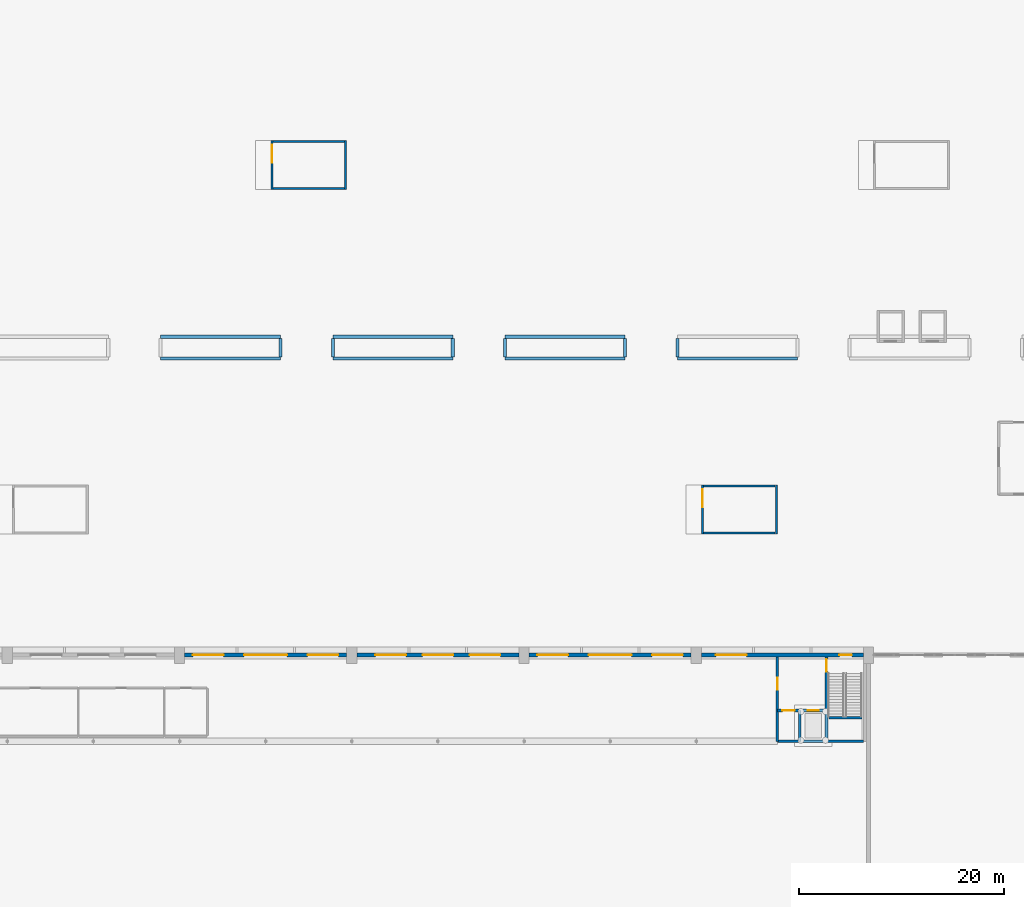
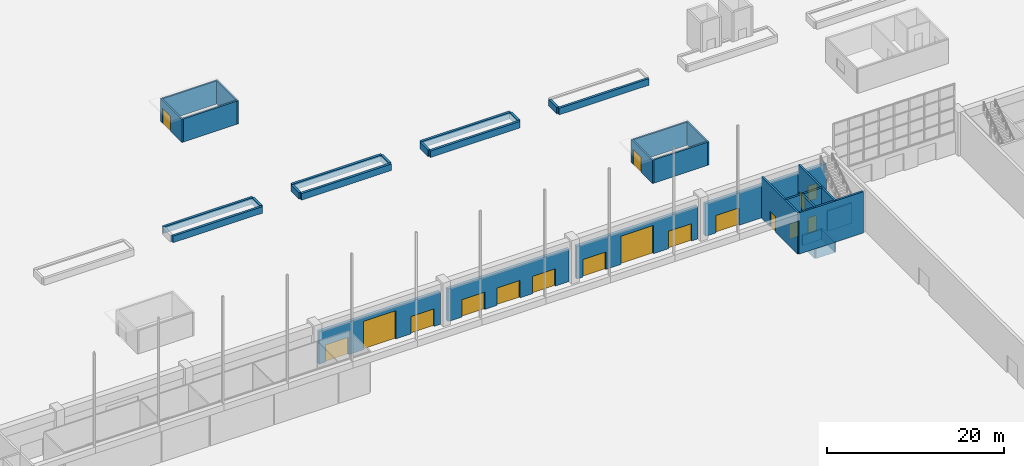
# One storey, part 116 of 210: 35 walls, 17 doors, 17 openings.
"""IFC4 building model written with IfcOpenShell, lengths in metres."""

from ifc_helpers import new_model, si_unit, direction, frame, frame_2d, origin, place, context, subcontext, project, spatial, rectangle, extrude, material, layer, layer_set, type_object, element, fill, save


model = new_model("IFC4")

# Units and contexts
model_context = context("Model", 3, precision=1e-05, world=origin(), true_north=direction((0.0, 1.0)))
body_context = subcontext(model_context, "Body", "Model", "MODEL_VIEW")
ifc_project = project(units=[si_unit("LENGTHUNIT", "METRE"), si_unit("AREAUNIT", "SQUARE_METRE"), si_unit("VOLUMEUNIT", "CUBIC_METRE"), si_unit("PLANEANGLEUNIT", "RADIAN"), si_unit("MASSUNIT", "GRAM", prefix="KILO")], contexts=[model_context])

# Site, building, storey
site_placement = place(None, origin())
site = spatial("IfcSite", under=ifc_project, at=site_placement, CompositionType="ELEMENT")
building_placement = place(site_placement, origin())
building = spatial("IfcBuilding", under=site, at=building_placement, Name="Rain Tree Exposition and Congress Centre", CompositionType="ELEMENT")
storey_placement = place(building_placement, origin())
storey = spatial("IfcBuildingStorey", under=building, at=storey_placement, Name="L00", CompositionType="ELEMENT", Elevation=0.0)

# Wall, opening, door
ifc_material_1 = material(Name="Concrete C40/50", Category="concrete")
ifc_layer_1 = layer(ifc_material_1, 0.25)
ifc_layer_set_1 = layer_set([ifc_layer_1], Name="Concrete C40/50")
wall_type_1 = type_object("IfcWallType", Name="Core wall 250", PredefinedType="SHEAR", material=ifc_layer_set_1)
wall_1_placement = place(storey_placement, frame((121.89990234375, 201.39990234375, 0.0), z_axis=(0.0, 0.0, 1.0), x_axis=(0.0, -1.0, 0.0)))
wall_1 = element("IfcWall", 1, at=wall_1_placement, inside=storey, type_object=wall_type_1, Name="Stair wall 4", PredefinedType="SHEAR", context=body_context, shape_type="SweptSolid", body=[
    extrude(rectangle(XDim=8.199951171875, YDim=0.25, at=frame_2d((4.10009765625, 0.0))), origin(), (0.0, 0.0, 1.0), 5.699951171875),
])
opening_1_placement = place(wall_1_placement, frame((0.199951171875, 0.0, 0.0)))
opening_1 = element("IfcOpeningElement", 2, at=opening_1_placement, cuts=wall_1, Name="Opening DH205", PredefinedType="OPENING", context=body_context, shape_type="SweptSolid", body=[
    extrude(rectangle(XDim=1.199951171875, YDim=2.10009765625, at=frame_2d((0.60009765625, 1.050048828125))), frame((0.0, 0.125, 0.0), z_axis=(0.0, -1.0, 0.0), x_axis=(1.0, 0.0, 0.0)), (0.0, 0.0, 1.0), 0.25),
])
ifc_material_2 = material(Name="Painted steel fire door", Category="steel")
door_type_1 = type_object("IfcDoorType", Name="Stair fire door 1200x2100", OperationType="NOTDEFINED", PredefinedType="DOOR", material=ifc_material_2)
door_1_placement = place(opening_1_placement, origin())
door_1 = element("IfcDoor", 3, at=door_1_placement, inside=storey, type_object=door_type_1, Name="Door DH205", OperationType="SINGLE_SWING_LEFT", OverallHeight=2.10009765625, OverallWidth=1.199951171875, PredefinedType="DOOR", context=body_context, shape_type="SweptSolid", body=[
    extrude(rectangle(XDim=1.199951171875, YDim=2.10009765625, at=frame_2d((0.60009765625, 1.050048828125))), frame((0.0, 0.02490234375, 0.0), z_axis=(0.0, -1.0, 0.0), x_axis=(1.0, 0.0, 0.0)), (0.0, 0.0, 1.0), 0.050048828125),
])
fill(opening_1, door_1)

# Wall
wall_2_placement = place(storey_placement, frame((125.5, 193.199951171875, 0.0), z_axis=(0.0, 0.0, 1.0), x_axis=(-1.0, 0.0, 0.0)))
element("IfcWall", 4, at=wall_2_placement, inside=storey, type_object=wall_type_1, Name="Core north wall 4", PredefinedType="SHEAR", context=body_context, shape_type="SweptSolid", body=[
    extrude(rectangle(XDim=8.39990234375, YDim=0.25, at=frame_2d((4.199951171875, 0.0))), origin(), (0.0, 0.0, 1.0), 5.699951171875),
])

# Wall, opening, door
wall_3_placement = place(storey_placement, frame((117.10009765625, 201.39990234375, 0.0), z_axis=(0.0, 0.0, 1.0), x_axis=(0.0, -1.0, 0.0)))
wall_3 = element("IfcWall", 5, at=wall_3_placement, inside=storey, type_object=wall_type_1, Name="Core east wall 4", PredefinedType="SHEAR", context=body_context, shape_type="SweptSolid", body=[
    extrude(rectangle(XDim=8.199951171875, YDim=0.25, at=frame_2d((4.10009765625, 0.0))), origin(), (0.0, 0.0, 1.0), 5.699951171875),
])
opening_2_placement = place(wall_3_placement, frame((2.0, 0.0, 0.0)))
opening_2 = element("IfcOpeningElement", 6, at=opening_2_placement, cuts=wall_3, Name="Opening DH206", PredefinedType="OPENING", context=body_context, shape_type="SweptSolid", body=[
    extrude(rectangle(XDim=1.199951171875, YDim=2.10009765625, at=frame_2d((0.60009765625, 1.050048828125))), frame((0.0, 0.125, 0.0), z_axis=(0.0, -1.0, 0.0), x_axis=(1.0, 0.0, 0.0)), (0.0, 0.0, 1.0), 0.25),
])
ifc_material_3 = material(Name="Painted steel fire door", Category="steel")
door_type_2 = type_object("IfcDoorType", Name="Lobby fire door 1200x2100", OperationType="NOTDEFINED", PredefinedType="DOOR", material=ifc_material_3)
door_2_placement = place(opening_2_placement, origin())
door_2 = element("IfcDoor", 7, at=door_2_placement, inside=storey, type_object=door_type_2, Name="Door DH206", OperationType="SINGLE_SWING_LEFT", OverallHeight=2.10009765625, OverallWidth=1.199951171875, PredefinedType="DOOR", context=body_context, shape_type="SweptSolid", body=[
    extrude(rectangle(XDim=1.199951171875, YDim=2.10009765625, at=frame_2d((0.60009765625, 1.050048828125))), frame((0.0, 0.02490234375, 0.0), z_axis=(0.0, -1.0, 0.0), x_axis=(1.0, 0.0, 0.0)), (0.0, 0.0, 1.0), 0.050048828125),
])
fill(opening_2, door_2)

# Wall, openings, doors
wall_4_placement = place(storey_placement, frame((121.89990234375, 196.199951171875, 0.0), z_axis=(0.0, 0.0, 1.0), x_axis=(-1.0, 0.0, 0.0)))
wall_4 = element("IfcWall", 8, at=wall_4_placement, inside=storey, type_object=wall_type_1, Name="Lift lobby wall 4", PredefinedType="SHEAR", context=body_context, shape_type="SweptSolid", body=[
    extrude(rectangle(XDim=4.7998046875, YDim=0.25, at=frame_2d((2.39990234375, 0.0))), origin(), (0.0, 0.0, 1.0), 5.699951171875),
])
opening_3_placement = place(wall_4_placement, frame((0.75, 0.0, 0.0)))
opening_3 = element("IfcOpeningElement", 9, at=opening_3_placement, cuts=wall_4, Name="Opening DH207", PredefinedType="OPENING", context=body_context, shape_type="SweptSolid", body=[
    extrude(rectangle(XDim=1.10009765625, YDim=2.10009765625, at=frame_2d((0.550048828125, 1.050048828125))), frame((0.0, 0.125, 0.0), z_axis=(0.0, -1.0, 0.0), x_axis=(1.0, 0.0, 0.0)), (0.0, 0.0, 1.0), 0.25),
])
opening_4_placement = place(wall_4_placement, frame((3.10009765625, 0.0, 0.0)))
opening_4 = element("IfcOpeningElement", 10, at=opening_4_placement, cuts=wall_4, Name="Opening DH208", PredefinedType="OPENING", context=body_context, shape_type="SweptSolid", body=[
    extrude(rectangle(XDim=1.199951171875, YDim=2.10009765625, at=frame_2d((0.60009765625, 1.050048828125))), frame((0.0, 0.125, 0.0), z_axis=(0.0, -1.0, 0.0), x_axis=(1.0, 0.0, 0.0)), (0.0, 0.0, 1.0), 0.25),
])
ifc_material_4 = material(Name="Stainless steel", Category="steel")
door_type_3 = type_object("IfcDoorType", Name="Lift landing door 1100x2100", OperationType="DOUBLE_DOOR_SLIDING", PredefinedType="DOOR", material=ifc_material_4)
door_3_placement = place(opening_3_placement, origin())
door_3 = element("IfcDoor", 11, at=door_3_placement, inside=storey, type_object=door_type_3, Name="Door DH207", OperationType="DOUBLE_DOOR_SLIDING", OverallHeight=2.10009765625, OverallWidth=1.10009765625, PredefinedType="DOOR", context=body_context, shape_type="SweptSolid", body=[
    extrude(rectangle(XDim=1.10009765625, YDim=2.10009765625, at=frame_2d((0.550048828125, 1.050048828125))), frame((0.0, 0.02490234375, 0.0), z_axis=(0.0, -1.0, 0.0), x_axis=(1.0, 0.0, 0.0)), (0.0, 0.0, 1.0), 0.050048828125),
])
fill(opening_3, door_3)
ifc_material_5 = material(Name="Painted steel fire door", Category="steel")
door_type_4 = type_object("IfcDoorType", Name="Plant room fire door 1200x2100", OperationType="NOTDEFINED", PredefinedType="DOOR", material=ifc_material_5)
door_4_placement = place(opening_4_placement, origin())
door_4 = element("IfcDoor", 12, at=door_4_placement, inside=storey, type_object=door_type_4, Name="Door DH208", OperationType="SINGLE_SWING_RIGHT", OverallHeight=2.10009765625, OverallWidth=1.199951171875, PredefinedType="DOOR", context=body_context, shape_type="SweptSolid", body=[
    extrude(rectangle(XDim=1.199951171875, YDim=2.10009765625, at=frame_2d((0.60009765625, 1.050048828125))), frame((0.0, 0.02490234375, 0.0), z_axis=(0.0, -1.0, 0.0), x_axis=(1.0, 0.0, 0.0)), (0.0, 0.0, 1.0), 0.050048828125),
])
fill(opening_4, door_4)

# Walls
wall_5_placement = place(storey_placement, frame((119.300048828125, 196.199951171875, 0.0), z_axis=(0.0, 0.0, 1.0), x_axis=(0.0, -1.0, 0.0)))
element("IfcWall", 13, at=wall_5_placement, inside=storey, type_object=wall_type_1, Name="Lift shaft wall 4", PredefinedType="SHEAR", context=body_context, shape_type="SweptSolid", body=[
    extrude(rectangle(XDim=3.0, YDim=0.25, at=frame_2d((1.5, 0.0))), origin(), (0.0, 0.0, 1.0), 5.699951171875),
])
wall_6_placement = place(storey_placement, frame((125.35009765625, 195.5, 0.0), z_axis=(0.0, 0.0, 1.0), x_axis=(-1.0, 0.0, 0.0)))
element("IfcWall", 14, at=wall_6_placement, inside=storey, type_object=wall_type_1, Name="Stair landing wall 4", PredefinedType="SHEAR", context=body_context, shape_type="SweptSolid", body=[
    extrude(rectangle(XDim=3.2001953125, YDim=0.25, at=frame_2d((1.60009765625, 0.0))), origin(), (0.0, 0.0, 1.0), 2.800048828125),
])

# Wall, opening, door
ifc_material_6 = material(Name="Concrete C40/50", Category="concrete")
ifc_layer_2 = layer(ifc_material_6, 0.199951171875)
ifc_layer_set_2 = layer_set([ifc_layer_2], Name="Concrete C40/50")
wall_type_2 = type_object("IfcWallType", Name="Exit stair wall 200", PredefinedType="PARTITIONING", material=ifc_layer_set_2)
wall_7_placement = place(storey_placement, frame((109.800048828125, 213.39990234375, 0.0), z_axis=(0.0, 0.0, 1.0), x_axis=(0.0, 1.0, 0.0)))
wall_7 = element("IfcWall", 15, at=wall_7_placement, inside=storey, type_object=wall_type_2, Name="Exit stair N02 wall west", PredefinedType="SOLIDWALL", context=body_context, shape_type="SweptSolid", body=[
    extrude(rectangle(XDim=4.800048828125, YDim=0.199951171875, at=frame_2d((2.39990234375, 0.0))), origin(), (0.0, 0.0, 1.0), 3.199951171875),
])
opening_5_placement = place(wall_7_placement, frame((2.60009765625, 0.0, 0.0)))
opening_5 = element("IfcOpeningElement", 16, at=opening_5_placement, cuts=wall_7, Name="Opening DS142", PredefinedType="OPENING", context=body_context, shape_type="SweptSolid", body=[
    extrude(rectangle(XDim=1.800048828125, YDim=2.10009765625, at=frame_2d((0.89990234375, 1.050048828125))), frame((0.0, 0.10009765625, 0.0), z_axis=(0.0, -1.0, 0.0), x_axis=(1.0, 0.0, 0.0)), (0.0, 0.0, 1.0), 0.199951171875),
])
ifc_material_7 = material(Name="Powder-coated steel", Category="steel")
door_type_5 = type_object("IfcDoorType", Name="Exit stair deck door 1800x2100", OperationType="NOTDEFINED", PredefinedType="DOOR", material=ifc_material_7)
door_5_placement = place(opening_5_placement, origin())
door_5 = element("IfcDoor", 17, at=door_5_placement, inside=storey, type_object=door_type_5, Name="Exit stair N02 door L00", OperationType="SINGLE_SWING_LEFT", OverallHeight=2.10009765625, OverallWidth=1.800048828125, PredefinedType="DOOR", context=body_context, shape_type="SweptSolid", body=[
    extrude(rectangle(XDim=1.800048828125, YDim=2.10009765625, at=frame_2d((0.89990234375, 1.050048828125))), frame((0.0, 0.02490234375, 0.0), z_axis=(0.0, -1.0, 0.0), x_axis=(1.0, 0.0, 0.0)), (0.0, 0.0, 1.0), 0.050048828125),
])
fill(opening_5, door_5)

# Walls
wall_8_placement = place(storey_placement, frame((117.0, 213.39990234375, 0.0), z_axis=(0.0, 0.0, 1.0), x_axis=(0.0, 1.0, 0.0)))
element("IfcWall", 18, at=wall_8_placement, inside=storey, type_object=wall_type_2, Name="Exit stair N02 wall east", PredefinedType="SOLIDWALL", context=body_context, shape_type="SweptSolid", body=[
    extrude(rectangle(XDim=4.800048828125, YDim=0.199951171875, at=frame_2d((2.39990234375, 0.0))), origin(), (0.0, 0.0, 1.0), 3.199951171875),
])
for number, where, z_axis, x_axis, name in (
    (19, (109.89990234375, 213.5, 0.0), (0.0, 0.0, 1.0), (1.0, 0.0, 0.0), "Exit stair N02 wall south"),
    (20, (109.89990234375, 218.10009765625, 0.0), (0.0, 0.0, 1.0), (1.0, 0.0, 0.0), "Exit stair N02 wall north"),
):
    element("IfcWall", number, at=place(storey_placement, frame(where, z_axis=z_axis, x_axis=x_axis)), inside=storey, type_object=wall_type_2, Name=name, PredefinedType="SOLIDWALL", context=body_context, shape_type="SweptSolid", body=[
        extrude(rectangle(XDim=7.0, YDim=0.199951171875, at=frame_2d((3.5, 0.0))), origin(), (0.0, 0.0, 1.0), 3.199951171875),
    ])

# Wall, opening, door
wall_9_placement = place(storey_placement, frame((67.800048828125, 247.0, 0.0), z_axis=(0.0, 0.0, 1.0), x_axis=(0.0, 1.0, 0.0)))
wall_9 = element("IfcWall", 21, at=wall_9_placement, inside=storey, type_object=wall_type_2, Name="Exit stair N05 wall west", PredefinedType="SOLIDWALL", context=body_context, shape_type="SweptSolid", body=[
    extrude(rectangle(XDim=4.800048828125, YDim=0.199951171875, at=frame_2d((2.39990234375, 0.0))), origin(), (0.0, 0.0, 1.0), 3.199951171875),
])
opening_6_placement = place(wall_9_placement, frame((2.60009765625, 0.0, 0.0)))
opening_6 = element("IfcOpeningElement", 22, at=opening_6_placement, cuts=wall_9, Name="Opening DS148", PredefinedType="OPENING", context=body_context, shape_type="SweptSolid", body=[
    extrude(rectangle(XDim=1.800048828125, YDim=2.10009765625, at=frame_2d((0.89990234375, 1.050048828125))), frame((0.0, 0.10009765625, 0.0), z_axis=(0.0, -1.0, 0.0), x_axis=(1.0, 0.0, 0.0)), (0.0, 0.0, 1.0), 0.199951171875),
])
door_6_placement = place(opening_6_placement, origin())
door_6 = element("IfcDoor", 23, at=door_6_placement, inside=storey, type_object=door_type_5, Name="Exit stair N05 door L00", OperationType="SINGLE_SWING_LEFT", OverallHeight=2.10009765625, OverallWidth=1.800048828125, PredefinedType="DOOR", context=body_context, shape_type="SweptSolid", body=[
    extrude(rectangle(XDim=1.800048828125, YDim=2.10009765625, at=frame_2d((0.89990234375, 1.050048828125))), frame((0.0, 0.02490234375, 0.0), z_axis=(0.0, -1.0, 0.0), x_axis=(1.0, 0.0, 0.0)), (0.0, 0.0, 1.0), 0.050048828125),
])
fill(opening_6, door_6)

# Walls
wall_10_placement = place(storey_placement, frame((75.0, 247.0, 0.0), z_axis=(0.0, 0.0, 1.0), x_axis=(0.0, 1.0, 0.0)))
element("IfcWall", 24, at=wall_10_placement, inside=storey, type_object=wall_type_2, Name="Exit stair N05 wall east", PredefinedType="SOLIDWALL", context=body_context, shape_type="SweptSolid", body=[
    extrude(rectangle(XDim=4.800048828125, YDim=0.199951171875, at=frame_2d((2.39990234375, 0.0))), origin(), (0.0, 0.0, 1.0), 3.199951171875),
])
for number, where, z_axis, x_axis, name in (
    (25, (67.89990234375, 247.10009765625, 0.0), (0.0, 0.0, 1.0), (1.0, 0.0, 0.0), "Exit stair N05 wall south"),
    (26, (67.89990234375, 251.699951171875, 0.0), (0.0, 0.0, 1.0), (1.0, 0.0, 0.0), "Exit stair N05 wall north"),
):
    element("IfcWall", number, at=place(storey_placement, frame(where, z_axis=z_axis, x_axis=x_axis)), inside=storey, type_object=wall_type_2, Name=name, PredefinedType="SOLIDWALL", context=body_context, shape_type="SweptSolid", body=[
        extrude(rectangle(XDim=7.0, YDim=0.199951171875, at=frame_2d((3.5, 0.0))), origin(), (0.0, 0.0, 1.0), 3.199951171875),
    ])

# Wall, openings, doors
ifc_material_8 = material(Name="Precast concrete C50/60", Category="concrete")
ifc_layer_3 = layer(ifc_material_8, 0.39990234375)
ifc_layer_set_3 = layer_set([ifc_layer_3], Name="Precast concrete C50/60")
wall_type_3 = type_object("IfcWallType", Name="Hall precast wall 400", PredefinedType="STANDARD", material=ifc_layer_set_3)
wall_11_placement = place(storey_placement, frame((59.300048828125, 201.60009765625, 0.0), z_axis=(0.0, 0.0, 1.0), x_axis=(1.0, 0.0, 0.0)))
wall_11 = element("IfcWall", 27, at=wall_11_placement, inside=storey, type_object=wall_type_3, Name="Cladding wall N4", PredefinedType="STANDARD", context=body_context, shape_type="SweptSolid", body=[
    extrude(rectangle(XDim=15.800048828125, YDim=0.39990234375, at=frame_2d((7.89990234375, 0.0))), origin(), (0.0, 0.0, 1.0), 4.5),
])
opening_7_placement = place(wall_11_placement, frame((5.800048828125, 0.0, 0.0)))
opening_7 = element("IfcOpeningElement", 28, at=opening_7_placement, cuts=wall_11, Name="Opening DH121", PredefinedType="OPENING", context=body_context, shape_type="SweptSolid", body=[
    extrude(rectangle(XDim=4.199951171875, YDim=3.89990234375, at=frame_2d((2.10009765625, 1.949951171875))), frame((0.0, 0.199951171875, 0.0), z_axis=(0.0, -1.0, 0.0), x_axis=(1.0, 0.0, 0.0)), (0.0, 0.0, 1.0), 0.39990234375),
])
opening_8_placement = place(wall_11_placement, frame((0.800048828125, 0.0, 0.0)))
opening_8 = element("IfcOpeningElement", 29, at=opening_8_placement, cuts=wall_11, Name="Opening DH122", PredefinedType="OPENING", context=body_context, shape_type="SweptSolid", body=[
    extrude(rectangle(XDim=3.0, YDim=2.39990234375, at=frame_2d((1.5, 1.199951171875))), frame((0.0, 0.199951171875, 0.0), z_axis=(0.0, -1.0, 0.0), x_axis=(1.0, 0.0, 0.0)), (0.0, 0.0, 1.0), 0.39990234375),
])
opening_9_placement = place(wall_11_placement, frame((12.0, 0.0, 0.0)))
opening_9 = element("IfcOpeningElement", 30, at=opening_9_placement, cuts=wall_11, Name="Opening DH123", PredefinedType="OPENING", context=body_context, shape_type="SweptSolid", body=[
    extrude(rectangle(XDim=3.0, YDim=2.39990234375, at=frame_2d((1.5, 1.199951171875))), frame((0.0, 0.199951171875, 0.0), z_axis=(0.0, -1.0, 0.0), x_axis=(1.0, 0.0, 0.0)), (0.0, 0.0, 1.0), 0.39990234375),
])
ifc_material_9 = material(Name="Aluminium and glass", Category="aluminium")
door_type_6 = type_object("IfcDoorType", Name="Double glazed entrance door 3000x2400", OperationType="DOUBLE_DOOR_SINGLE_SWING", PredefinedType="DOOR", material=ifc_material_9)
door_7_placement = place(opening_8_placement, origin())
door_7 = element("IfcDoor", 31, at=door_7_placement, inside=storey, type_object=door_type_6, Name="Door DH122", OperationType="DOUBLE_DOOR_SINGLE_SWING", OverallHeight=2.39990234375, OverallWidth=3.0, PredefinedType="DOOR", context=body_context, shape_type="SweptSolid", body=[
    extrude(rectangle(XDim=3.0, YDim=2.39990234375, at=frame_2d((1.5, 1.199951171875))), frame((0.0, 0.02490234375, 0.0), z_axis=(0.0, -1.0, 0.0), x_axis=(1.0, 0.0, 0.0)), (0.0, 0.0, 1.0), 0.050048828125),
])
fill(opening_8, door_7)
door_8_placement = place(opening_9_placement, origin())
door_8 = element("IfcDoor", 32, at=door_8_placement, inside=storey, type_object=door_type_6, Name="Door DH123", OperationType="DOUBLE_DOOR_SINGLE_SWING", OverallHeight=2.39990234375, OverallWidth=3.0, PredefinedType="DOOR", context=body_context, shape_type="SweptSolid", body=[
    extrude(rectangle(XDim=3.0, YDim=2.39990234375, at=frame_2d((1.5, 1.199951171875))), frame((0.0, 0.02490234375, 0.0), z_axis=(0.0, -1.0, 0.0), x_axis=(1.0, 0.0, 0.0)), (0.0, 0.0, 1.0), 0.050048828125),
])
fill(opening_9, door_8)
ifc_material_10 = material(Name="Galvanised steel sectional door", Category="steel")
door_type_7 = type_object("IfcDoorType", Name="Sectional overhead dock door 4200x3900", OperationType="ROLLINGUP", PredefinedType="DOOR", material=ifc_material_10)
door_9_placement = place(opening_7_placement, origin())
door_9 = element("IfcDoor", 33, at=door_9_placement, inside=storey, type_object=door_type_7, Name="Door DH121", OperationType="ROLLINGUP", OverallHeight=3.89990234375, OverallWidth=4.199951171875, PredefinedType="DOOR", context=body_context, shape_type="SweptSolid", body=[
    extrude(rectangle(XDim=4.199951171875, YDim=3.89990234375, at=frame_2d((2.10009765625, 1.949951171875))), frame((0.0, 0.02490234375, 0.0), z_axis=(0.0, -1.0, 0.0), x_axis=(1.0, 0.0, 0.0)), (0.0, 0.0, 1.0), 0.050048828125),
])
fill(opening_7, door_9)

wall_12_placement = place(storey_placement, frame((76.10009765625, 201.60009765625, 0.0), z_axis=(0.0, 0.0, 1.0), x_axis=(1.0, 0.0, 0.0)))
wall_12 = element("IfcWall", 34, at=wall_12_placement, inside=storey, type_object=wall_type_3, Name="Cladding wall N5", PredefinedType="STANDARD", context=body_context, shape_type="SweptSolid", body=[
    extrude(rectangle(XDim=15.7998046875, YDim=0.39990234375, at=frame_2d((7.89990234375, 0.0))), origin(), (0.0, 0.0, 1.0), 4.5),
])
opening_10_placement = place(wall_12_placement, frame((1.800048828125, 0.0, 0.0)))
opening_10 = element("IfcOpeningElement", 35, at=opening_10_placement, cuts=wall_12, Name="Opening DH124", PredefinedType="OPENING", context=body_context, shape_type="SweptSolid", body=[
    extrude(rectangle(XDim=3.0, YDim=2.39990234375, at=frame_2d((1.5, 1.199951171875))), frame((0.0, 0.199951171875, 0.0), z_axis=(0.0, -1.0, 0.0), x_axis=(1.0, 0.0, 0.0)), (0.0, 0.0, 1.0), 0.39990234375),
])
opening_11_placement = place(wall_12_placement, frame((6.39990234375, 0.0, 0.0)))
opening_11 = element("IfcOpeningElement", 36, at=opening_11_placement, cuts=wall_12, Name="Opening DH125", PredefinedType="OPENING", context=body_context, shape_type="SweptSolid", body=[
    extrude(rectangle(XDim=3.0, YDim=2.39990234375, at=frame_2d((1.5, 1.199951171875))), frame((0.0, 0.199951171875, 0.0), z_axis=(0.0, -1.0, 0.0), x_axis=(1.0, 0.0, 0.0)), (0.0, 0.0, 1.0), 0.39990234375),
])
opening_12_placement = place(wall_12_placement, frame((11.0, 0.0, 0.0)))
opening_12 = element("IfcOpeningElement", 37, at=opening_12_placement, cuts=wall_12, Name="Opening DH126", PredefinedType="OPENING", context=body_context, shape_type="SweptSolid", body=[
    extrude(rectangle(XDim=3.0, YDim=2.39990234375, at=frame_2d((1.5, 1.199951171875))), frame((0.0, 0.199951171875, 0.0), z_axis=(0.0, -1.0, 0.0), x_axis=(1.0, 0.0, 0.0)), (0.0, 0.0, 1.0), 0.39990234375),
])
door_10_placement = place(opening_10_placement, origin())
door_10 = element("IfcDoor", 38, at=door_10_placement, inside=storey, type_object=door_type_6, Name="Door DH124", OperationType="DOUBLE_DOOR_SINGLE_SWING", OverallHeight=2.39990234375, OverallWidth=3.0, PredefinedType="DOOR", context=body_context, shape_type="SweptSolid", body=[
    extrude(rectangle(XDim=3.0, YDim=2.39990234375, at=frame_2d((1.5, 1.199951171875))), frame((0.0, 0.02490234375, 0.0), z_axis=(0.0, -1.0, 0.0), x_axis=(1.0, 0.0, 0.0)), (0.0, 0.0, 1.0), 0.050048828125),
])
fill(opening_10, door_10)
door_11_placement = place(opening_11_placement, origin())
door_11 = element("IfcDoor", 39, at=door_11_placement, inside=storey, type_object=door_type_6, Name="Door DH125", OperationType="DOUBLE_DOOR_SINGLE_SWING", OverallHeight=2.39990234375, OverallWidth=3.0, PredefinedType="DOOR", context=body_context, shape_type="SweptSolid", body=[
    extrude(rectangle(XDim=3.0, YDim=2.39990234375, at=frame_2d((1.5, 1.199951171875))), frame((0.0, 0.02490234375, 0.0), z_axis=(0.0, -1.0, 0.0), x_axis=(1.0, 0.0, 0.0)), (0.0, 0.0, 1.0), 0.050048828125),
])
fill(opening_11, door_11)
door_12_placement = place(opening_12_placement, origin())
door_12 = element("IfcDoor", 40, at=door_12_placement, inside=storey, type_object=door_type_6, Name="Door DH126", OperationType="DOUBLE_DOOR_SINGLE_SWING", OverallHeight=2.39990234375, OverallWidth=3.0, PredefinedType="DOOR", context=body_context, shape_type="SweptSolid", body=[
    extrude(rectangle(XDim=3.0, YDim=2.39990234375, at=frame_2d((1.5, 1.199951171875))), frame((0.0, 0.02490234375, 0.0), z_axis=(0.0, -1.0, 0.0), x_axis=(1.0, 0.0, 0.0)), (0.0, 0.0, 1.0), 0.050048828125),
])
fill(opening_12, door_12)

wall_13_placement = place(storey_placement, frame((92.89990234375, 201.60009765625, 0.0), z_axis=(0.0, 0.0, 1.0), x_axis=(1.0, 0.0, 0.0)))
wall_13 = element("IfcWall", 41, at=wall_13_placement, inside=storey, type_object=wall_type_3, Name="Cladding wall N6", PredefinedType="STANDARD", context=body_context, shape_type="SweptSolid", body=[
    extrude(rectangle(XDim=15.800048828125, YDim=0.39990234375, at=frame_2d((7.89990234375, 0.0))), origin(), (0.0, 0.0, 1.0), 4.5),
])
opening_13_placement = place(wall_13_placement, frame((5.800048828125, 0.0, 0.0)))
opening_13 = element("IfcOpeningElement", 42, at=opening_13_placement, cuts=wall_13, Name="Opening DH127", PredefinedType="OPENING", context=body_context, shape_type="SweptSolid", body=[
    extrude(rectangle(XDim=4.199951171875, YDim=3.89990234375, at=frame_2d((2.10009765625, 1.949951171875))), frame((0.0, 0.199951171875, 0.0), z_axis=(0.0, -1.0, 0.0), x_axis=(1.0, 0.0, 0.0)), (0.0, 0.0, 1.0), 0.39990234375),
])
opening_14_placement = place(wall_13_placement, frame((0.800048828125, 0.0, 0.0)))
opening_14 = element("IfcOpeningElement", 43, at=opening_14_placement, cuts=wall_13, Name="Opening DH128", PredefinedType="OPENING", context=body_context, shape_type="SweptSolid", body=[
    extrude(rectangle(XDim=3.0, YDim=2.39990234375, at=frame_2d((1.5, 1.199951171875))), frame((0.0, 0.199951171875, 0.0), z_axis=(0.0, -1.0, 0.0), x_axis=(1.0, 0.0, 0.0)), (0.0, 0.0, 1.0), 0.39990234375),
])
opening_15_placement = place(wall_13_placement, frame((12.0, 0.0, 0.0)))
opening_15 = element("IfcOpeningElement", 44, at=opening_15_placement, cuts=wall_13, Name="Opening DH129", PredefinedType="OPENING", context=body_context, shape_type="SweptSolid", body=[
    extrude(rectangle(XDim=3.0, YDim=2.39990234375, at=frame_2d((1.5, 1.199951171875))), frame((0.0, 0.199951171875, 0.0), z_axis=(0.0, -1.0, 0.0), x_axis=(1.0, 0.0, 0.0)), (0.0, 0.0, 1.0), 0.39990234375),
])
door_13_placement = place(opening_14_placement, origin())
door_13 = element("IfcDoor", 45, at=door_13_placement, inside=storey, type_object=door_type_6, Name="Door DH128", OperationType="DOUBLE_DOOR_SINGLE_SWING", OverallHeight=2.39990234375, OverallWidth=3.0, PredefinedType="DOOR", context=body_context, shape_type="SweptSolid", body=[
    extrude(rectangle(XDim=3.0, YDim=2.39990234375, at=frame_2d((1.5, 1.199951171875))), frame((0.0, 0.02490234375, 0.0), z_axis=(0.0, -1.0, 0.0), x_axis=(1.0, 0.0, 0.0)), (0.0, 0.0, 1.0), 0.050048828125),
])
fill(opening_14, door_13)
door_14_placement = place(opening_15_placement, origin())
door_14 = element("IfcDoor", 46, at=door_14_placement, inside=storey, type_object=door_type_6, Name="Door DH129", OperationType="DOUBLE_DOOR_SINGLE_SWING", OverallHeight=2.39990234375, OverallWidth=3.0, PredefinedType="DOOR", context=body_context, shape_type="SweptSolid", body=[
    extrude(rectangle(XDim=3.0, YDim=2.39990234375, at=frame_2d((1.5, 1.199951171875))), frame((0.0, 0.02490234375, 0.0), z_axis=(0.0, -1.0, 0.0), x_axis=(1.0, 0.0, 0.0)), (0.0, 0.0, 1.0), 0.050048828125),
])
fill(opening_15, door_14)
door_15_placement = place(opening_13_placement, origin())
door_15 = element("IfcDoor", 47, at=door_15_placement, inside=storey, type_object=door_type_7, Name="Door DH127", OperationType="ROLLINGUP", OverallHeight=3.89990234375, OverallWidth=4.199951171875, PredefinedType="DOOR", context=body_context, shape_type="SweptSolid", body=[
    extrude(rectangle(XDim=4.199951171875, YDim=3.89990234375, at=frame_2d((2.10009765625, 1.949951171875))), frame((0.0, 0.02490234375, 0.0), z_axis=(0.0, -1.0, 0.0), x_axis=(1.0, 0.0, 0.0)), (0.0, 0.0, 1.0), 0.050048828125),
])
fill(opening_13, door_15)

wall_14_placement = place(storey_placement, frame((109.699951171875, 201.60009765625, 0.0), z_axis=(0.0, 0.0, 1.0), x_axis=(1.0, 0.0, 0.0)))
wall_14 = element("IfcWall", 48, at=wall_14_placement, inside=storey, type_object=wall_type_3, Name="Cladding wall N7", PredefinedType="STANDARD", context=body_context, shape_type="SweptSolid", body=[
    extrude(rectangle(XDim=15.800048828125, YDim=0.39990234375, at=frame_2d((7.89990234375, 0.0))), origin(), (0.0, 0.0, 1.0), 4.5),
])
opening_16_placement = place(wall_14_placement, frame((13.46240234375, 0.0, 0.0)))
opening_16 = element("IfcOpeningElement", 49, at=opening_16_placement, cuts=wall_14, Name="Opening DH130", PredefinedType="OPENING", context=body_context, shape_type="SweptSolid", body=[
    extrude(rectangle(XDim=1.199951171875, YDim=2.10009765625, at=frame_2d((0.60009765625, 1.050048828125))), frame((0.0, 0.199951171875, 0.0), z_axis=(0.0, -1.0, 0.0), x_axis=(1.0, 0.0, 0.0)), (0.0, 0.0, 1.0), 0.39990234375),
])
opening_17_placement = place(wall_14_placement, frame((1.39990234375, 0.0, 0.0)))
opening_17 = element("IfcOpeningElement", 50, at=opening_17_placement, cuts=wall_14, Name="Opening DH131", PredefinedType="OPENING", context=body_context, shape_type="SweptSolid", body=[
    extrude(rectangle(XDim=3.0, YDim=2.39990234375, at=frame_2d((1.5, 1.199951171875))), frame((0.0, 0.199951171875, 0.0), z_axis=(0.0, -1.0, 0.0), x_axis=(1.0, 0.0, 0.0)), (0.0, 0.0, 1.0), 0.39990234375),
])
door_16_placement = place(opening_17_placement, origin())
door_16 = element("IfcDoor", 51, at=door_16_placement, inside=storey, type_object=door_type_6, Name="Door DH131", OperationType="DOUBLE_DOOR_SINGLE_SWING", OverallHeight=2.39990234375, OverallWidth=3.0, PredefinedType="DOOR", context=body_context, shape_type="SweptSolid", body=[
    extrude(rectangle(XDim=3.0, YDim=2.39990234375, at=frame_2d((1.5, 1.199951171875))), frame((0.0, 0.02490234375, 0.0), z_axis=(0.0, -1.0, 0.0), x_axis=(1.0, 0.0, 0.0)), (0.0, 0.0, 1.0), 0.050048828125),
])
fill(opening_17, door_16)
door_17_placement = place(opening_16_placement, origin())
door_17 = element("IfcDoor", 52, at=door_17_placement, inside=storey, type_object=door_type_1, Name="Door DH130", OperationType="SINGLE_SWING_RIGHT", OverallHeight=2.10009765625, OverallWidth=1.199951171875, PredefinedType="DOOR", context=body_context, shape_type="SweptSolid", body=[
    extrude(rectangle(XDim=1.199951171875, YDim=2.10009765625, at=frame_2d((0.60009765625, 1.050048828125))), frame((0.0, 0.02490234375, 0.0), z_axis=(0.0, -1.0, 0.0), x_axis=(1.0, 0.0, 0.0)), (0.0, 0.0, 1.0), 0.050048828125),
])
fill(opening_16, door_17)

# Walls
ifc_material_11 = material(Name="Concrete C40/50", Category="concrete")
ifc_layer_4 = layer(ifc_material_11, 0.25)
ifc_layer_set_4 = layer_set([ifc_layer_4], Name="Concrete C40/50")
wall_type_4 = type_object("IfcWallType", Name="Lift pit wall 250", PredefinedType="SHEAR", material=ifc_layer_set_4)
for number, where, z_axis, x_axis, name in (
    (53, (121.89990234375, 196.199951171875, -1.39990234375), (0.0, 0.0, 1.0), (0.0, -1.0, 0.0), "Lift pit wall 4.1"),
    (54, (119.300048828125, 196.199951171875, -1.39990234375), (0.0, 0.0, 1.0), (0.0, -1.0, 0.0), "Lift pit wall 4.2"),
):
    element("IfcWall", number, at=place(storey_placement, frame(where, z_axis=z_axis, x_axis=x_axis)), inside=storey, type_object=wall_type_4, Name=name, PredefinedType="SHEAR", context=body_context, shape_type="SweptSolid", body=[
        extrude(rectangle(XDim=3.0, YDim=0.25, at=frame_2d((1.5, 0.0))), origin(), (0.0, 0.0, 1.0), 1.39990234375),
    ])
for number, where, z_axis, x_axis, name in (
    (55, (121.89990234375, 196.199951171875, -1.39990234375), (0.0, 0.0, 1.0), (-1.0, 0.0, 0.0), "Lift pit wall 4.3"),
    (56, (121.89990234375, 193.199951171875, -1.39990234375), (0.0, 0.0, 1.0), (-1.0, 0.0, 0.0), "Lift pit wall 4.4"),
):
    element("IfcWall", number, at=place(storey_placement, frame(where, z_axis=z_axis, x_axis=x_axis)), inside=storey, type_object=wall_type_4, Name=name, PredefinedType="SHEAR", context=body_context, shape_type="SweptSolid", body=[
        extrude(rectangle(XDim=2.599853515625, YDim=0.25, at=frame_2d((1.2998046875, 0.0))), origin(), (0.0, 0.0, 1.0), 1.39990234375),
    ])
ifc_material_12 = material(Name="Concrete C40/50", Category="concrete")
ifc_layer_5 = layer(ifc_material_12, 0.300048828125)
ifc_layer_set_5 = layer_set([ifc_layer_5], Name="Concrete C40/50")
wall_type_5 = type_object("IfcWallType", Name="Precast planter wall 300", PredefinedType="SOLIDWALL", material=ifc_layer_set_5)
for number, where, z_axis, x_axis, name in (
    (57, (56.949951171875, 230.550048828125, 0.0), (0.0, 0.0, 1.0), (1.0, 0.0, 0.0), "Dock apron planter wall"),
    (58, (56.949951171875, 232.64990234375, 0.0), (0.0, 0.0, 1.0), (1.0, 0.0, 0.0), "Dock apron planter wall"),
):
    element("IfcWall", number, at=place(storey_placement, frame(where, z_axis=z_axis, x_axis=x_axis)), inside=storey, type_object=wall_type_5, Name=name, PredefinedType="SOLIDWALL", context=body_context, shape_type="SweptSolid", body=[
        extrude(rectangle(XDim=11.699951171875, YDim=0.300048828125, at=frame_2d((5.85009765625, 0.0))), origin(), (0.0, 0.0, 1.0), 0.89990234375),
    ])
wall_15_placement = place(storey_placement, frame((68.64990234375, 230.699951171875, 0.0), z_axis=(0.0, 0.0, 1.0), x_axis=(0.0, 1.0, 0.0)))
element("IfcWall", 59, at=wall_15_placement, inside=storey, type_object=wall_type_5, Name="Dock apron planter wall", PredefinedType="SOLIDWALL", context=body_context, shape_type="SweptSolid", body=[
    extrude(rectangle(XDim=1.800048828125, YDim=0.300048828125, at=frame_2d((0.89990234375, 0.0))), origin(), (0.0, 0.0, 1.0), 0.89990234375),
])
for number, where, z_axis, x_axis, name in (
    (60, (73.75, 230.550048828125, 0.0), (0.0, 0.0, 1.0), (1.0, 0.0, 0.0), "Dock apron planter wall"),
    (61, (73.75, 232.64990234375, 0.0), (0.0, 0.0, 1.0), (1.0, 0.0, 0.0), "Dock apron planter wall"),
):
    element("IfcWall", number, at=place(storey_placement, frame(where, z_axis=z_axis, x_axis=x_axis)), inside=storey, type_object=wall_type_5, Name=name, PredefinedType="SOLIDWALL", context=body_context, shape_type="SweptSolid", body=[
        extrude(rectangle(XDim=11.699951171875, YDim=0.300048828125, at=frame_2d((5.85009765625, 0.0))), origin(), (0.0, 0.0, 1.0), 0.89990234375),
    ])
for number, where, z_axis, x_axis, name in (
    (62, (73.75, 230.699951171875, 0.0), (0.0, 0.0, 1.0), (0.0, 1.0, 0.0), "Dock apron planter wall"),
    (63, (85.449951171875, 230.699951171875, 0.0), (0.0, 0.0, 1.0), (0.0, 1.0, 0.0), "Dock apron planter wall"),
):
    element("IfcWall", number, at=place(storey_placement, frame(where, z_axis=z_axis, x_axis=x_axis)), inside=storey, type_object=wall_type_5, Name=name, PredefinedType="SOLIDWALL", context=body_context, shape_type="SweptSolid", body=[
        extrude(rectangle(XDim=1.800048828125, YDim=0.300048828125, at=frame_2d((0.89990234375, 0.0))), origin(), (0.0, 0.0, 1.0), 0.89990234375),
    ])
for number, where, z_axis, x_axis, name in (
    (64, (90.550048828125, 230.550048828125, 0.0), (0.0, 0.0, 1.0), (1.0, 0.0, 0.0), "Dock apron planter wall"),
    (65, (90.550048828125, 232.64990234375, 0.0), (0.0, 0.0, 1.0), (1.0, 0.0, 0.0), "Dock apron planter wall"),
):
    element("IfcWall", number, at=place(storey_placement, frame(where, z_axis=z_axis, x_axis=x_axis)), inside=storey, type_object=wall_type_5, Name=name, PredefinedType="SOLIDWALL", context=body_context, shape_type="SweptSolid", body=[
        extrude(rectangle(XDim=11.699951171875, YDim=0.300048828125, at=frame_2d((5.85009765625, 0.0))), origin(), (0.0, 0.0, 1.0), 0.89990234375),
    ])
for number, where, z_axis, x_axis, name in (
    (66, (90.550048828125, 230.699951171875, 0.0), (0.0, 0.0, 1.0), (0.0, 1.0, 0.0), "Dock apron planter wall"),
    (67, (102.25, 230.699951171875, 0.0), (0.0, 0.0, 1.0), (0.0, 1.0, 0.0), "Dock apron planter wall"),
):
    element("IfcWall", number, at=place(storey_placement, frame(where, z_axis=z_axis, x_axis=x_axis)), inside=storey, type_object=wall_type_5, Name=name, PredefinedType="SOLIDWALL", context=body_context, shape_type="SweptSolid", body=[
        extrude(rectangle(XDim=1.800048828125, YDim=0.300048828125, at=frame_2d((0.89990234375, 0.0))), origin(), (0.0, 0.0, 1.0), 0.89990234375),
    ])
wall_16_placement = place(storey_placement, frame((107.35009765625, 230.550048828125, 0.0), z_axis=(0.0, 0.0, 1.0), x_axis=(1.0, 0.0, 0.0)))
element("IfcWall", 68, at=wall_16_placement, inside=storey, type_object=wall_type_5, Name="Dock apron planter wall", PredefinedType="SOLIDWALL", context=body_context, shape_type="SweptSolid", body=[
    extrude(rectangle(XDim=11.699951171875, YDim=0.300048828125, at=frame_2d((5.85009765625, 0.0))), origin(), (0.0, 0.0, 1.0), 0.89990234375),
])
wall_17_placement = place(storey_placement, frame((107.35009765625, 230.699951171875, 0.0), z_axis=(0.0, 0.0, 1.0), x_axis=(0.0, 1.0, 0.0)))
element("IfcWall", 69, at=wall_17_placement, inside=storey, type_object=wall_type_5, Name="Dock apron planter wall", PredefinedType="SOLIDWALL", context=body_context, shape_type="SweptSolid", body=[
    extrude(rectangle(XDim=1.800048828125, YDim=0.300048828125, at=frame_2d((0.89990234375, 0.0))), origin(), (0.0, 0.0, 1.0), 0.89990234375),
])

save(model, "model.ifc")
